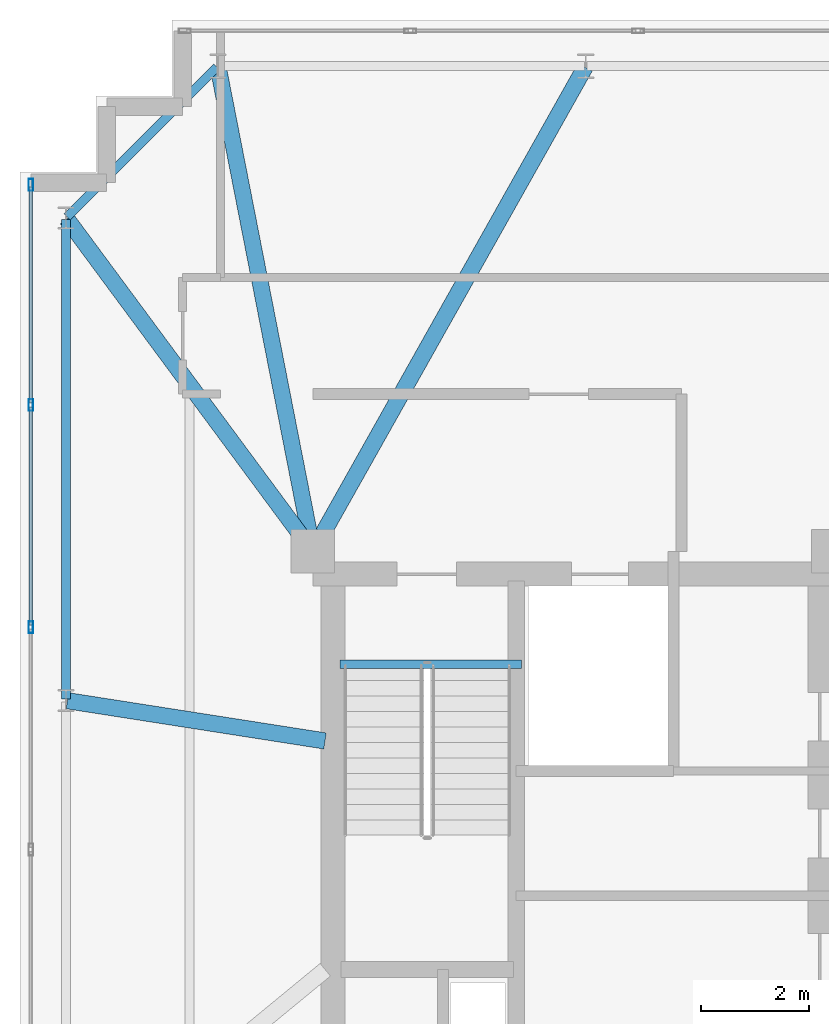
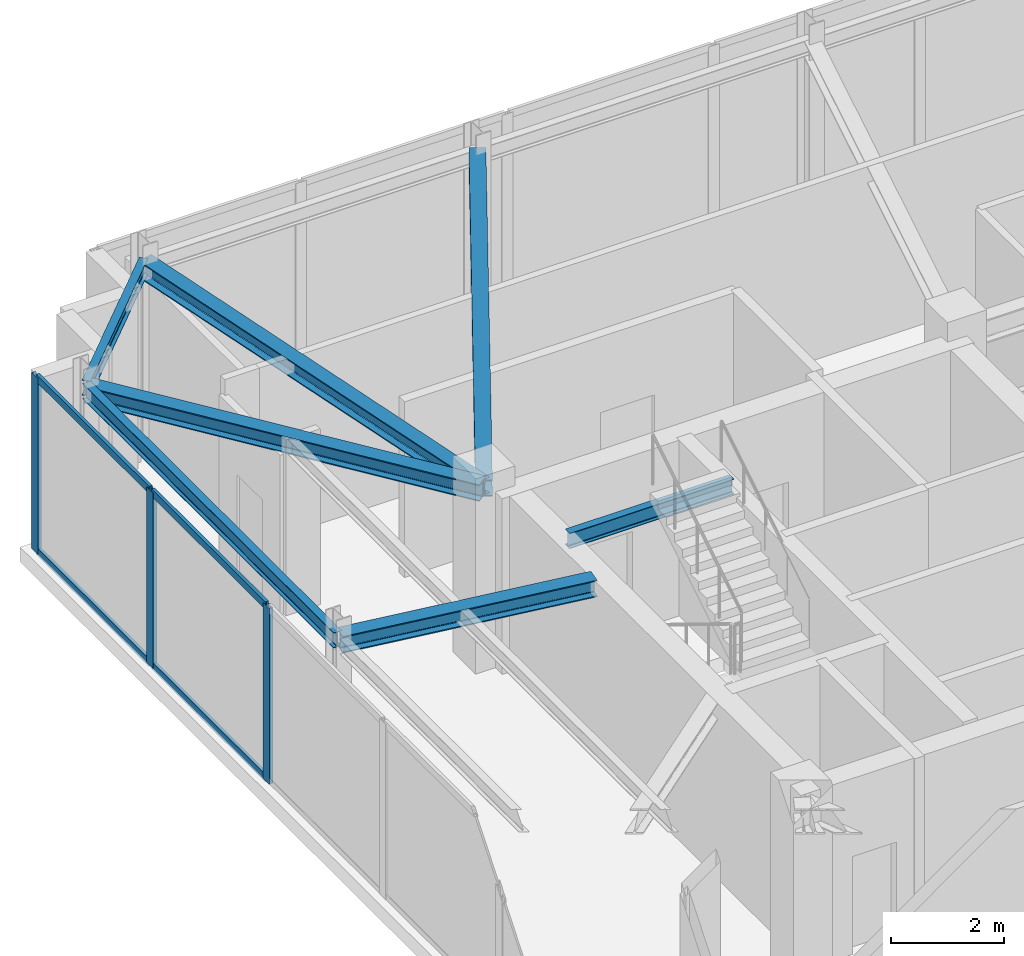
# One storey, part 10 of 24: 7 beams, 7 members, 1 element without a shape of its own.
"""IFC4 building model written with IfcOpenShell, lengths in metres."""

import ifcopenshell
import ifcopenshell.guid

model = None  # the IFC model being written
_history = None  # IfcOwnerHistory: only IFC2X3 demands one
_inside = {}  # id of a spatial element -> (the spatial element, [elements in it])
_under = {}  # id of a project, library or spatial element -> (it, [spatial elements below it])
_declared = {}  # id of a project -> (the project, [libraries it declares])
_typed = {}  # id of a type object -> (the type object, [elements of that type])
_made_of = {}  # id of a material, layer set ... -> (it, [elements and type objects made of it])


def new_model(schema):
    """Start an empty IFC model of exactly this schema.

    Asked for "IFC4X3", IfcOpenShell would pick the latest addendum, in which some entities
    have other attributes; the version numbers below select the first issue.
    IFC2X3 requires an IfcOwnerHistory on every rooted entity: one is made here for all.
    """
    global model, _history
    if schema == "IFC4X3":
        model = ifcopenshell.file(schema_version=(4, 3, 0, 0))
    else:
        model = ifcopenshell.file(schema=schema)
    _inside.clear()
    _under.clear()
    _declared.clear()
    _typed.clear()
    _made_of.clear()
    _history = None
    if model.schema == "IFC2X3":
        org = make("IfcOrganization", Name="unknown")
        user = make(
            "IfcPersonAndOrganization",
            ThePerson=make("IfcPerson", FamilyName="unknown"),
            TheOrganization=org,
        )
        app = make(
            "IfcApplication",
            ApplicationDeveloper=org,
            Version="unknown",
            ApplicationFullName="unknown",
            ApplicationIdentifier="unknown",
        )
        _history = make(
            "IfcOwnerHistory",
            OwningUser=user,
            OwningApplication=app,
            ChangeAction="ADDED",
            CreationDate=0,
        )
    return model


def make(cls, **values):
    """One entity of the class cls with the attributes given. An attribute that is None is left unset."""
    return model.create_entity(
        cls, **{name: value for name, value in values.items() if value is not None}
    )


def rooted(cls, **values):
    """An entity with a GlobalId (a new one), such as an element, a storey or a relation."""
    return make(cls, GlobalId=ifcopenshell.guid.new(), OwnerHistory=_history, **values)


def si_unit(unit_type, name, prefix=None):
    """IfcSIUnit, for example si_unit("LENGTHUNIT", "METRE", prefix="MILLI")."""
    return make("IfcSIUnit", UnitType=unit_type, Prefix=prefix, Name=name)


def assignment(units):
    """IfcUnitAssignment: the units of a project."""
    return None if units is None else make("IfcUnitAssignment", Units=units)


def point(xyz):
    """IfcCartesianPoint."""
    return None if xyz is None else make("IfcCartesianPoint", Coordinates=xyz)


def direction(xyz):
    """IfcDirection."""
    return None if xyz is None else make("IfcDirection", DirectionRatios=xyz)


def frame(location, z_axis=None, x_axis=None):
    """IfcAxis2Placement3D, a coordinate frame: its origin and axes. An axis left out is left unset."""
    return make(
        "IfcAxis2Placement3D",
        Location=point(location),
        Axis=direction(z_axis),
        RefDirection=direction(x_axis),
    )


def frame_2d(location, x_axis=None):
    """IfcAxis2Placement2D, a coordinate frame in the plane: its origin and x axis."""
    return make(
        "IfcAxis2Placement2D", Location=point(location), RefDirection=direction(x_axis)
    )


def origin():
    """The frame at (0, 0, 0) with its axes left unset."""
    return frame((0.0, 0.0, 0.0))


def origin_2d():
    """The frame at (0, 0) in the plane with its x axis left unset."""
    return frame_2d((0.0, 0.0))


def place(relative_to, where):
    """IfcLocalPlacement: puts the frame where relative to a parent placement (None: the world)."""
    return make(
        "IfcLocalPlacement", PlacementRelTo=relative_to, RelativePlacement=where
    )


def context(
    kind, dimensions, precision=None, world=None, true_north=None, identifier=None
):
    """IfcGeometricRepresentationContext, for example the 3D "Model" context."""
    return make(
        "IfcGeometricRepresentationContext",
        ContextIdentifier=identifier,
        ContextType=kind,
        CoordinateSpaceDimension=dimensions,
        Precision=precision,
        WorldCoordinateSystem=world,
        TrueNorth=true_north,
    )


def subcontext(parent, identifier, kind, view, scale=None):
    """IfcGeometricRepresentationSubContext, for example "Body" below "Model"."""
    return make(
        "IfcGeometricRepresentationSubContext",
        ContextIdentifier=identifier,
        ContextType=kind,
        ParentContext=parent,
        TargetScale=scale,
        TargetView=view,
    )


def project(units=None, contexts=None):
    """IfcProject with its units and contexts."""
    return rooted(
        "IfcProject",
        Name="project",
        RepresentationContexts=contexts,
        UnitsInContext=assignment(units),
    )


def spatial(cls, under=None, at=None, **own):
    """A site, building, storey or space (cls), placed at a placement, below another one or the project."""
    s = rooted(cls, ObjectPlacement=at, **own)
    if under is not None:
        _under.setdefault(under.id(), (under, []))[1].append(s)
    return s


def profile(cls, at=None, kind="AREA", **sizes):
    """A parametric profile (cls). Its sizes go by their IFC names, for example OverallWidth=200.0."""
    return make(cls, ProfileType=kind, Position=at, **sizes)


def hollow_rectangle(**sizes):
    """IfcRectangleHollowProfileDef."""
    return profile("IfcRectangleHollowProfileDef", **sizes)


def i_section(**sizes):
    """IfcIShapeProfileDef."""
    return profile("IfcIShapeProfileDef", **sizes)


def extrude(swept, where, along, depth):
    """IfcExtrudedAreaSolid: the profile swept, set in the frame where, extruded along a direction by depth."""
    return make(
        "IfcExtrudedAreaSolid",
        SweptArea=swept,
        Position=where,
        ExtrudedDirection=direction(along),
        Depth=depth,
    )


def shape(context_of_items, identifier, shape_type, items):
    """IfcShapeRepresentation: the items that make up one representation, for example the "Body"."""
    return make(
        "IfcShapeRepresentation",
        ContextOfItems=context_of_items,
        RepresentationIdentifier=identifier,
        RepresentationType=shape_type,
        Items=items,
    )


def material(Name=None, Category=None):
    """IfcMaterial."""
    return make("IfcMaterial", Name=Name, Category=Category)


def layer(
    of_material, thickness, ventilated=None, Name=None, Category=None, Priority=None
):
    """IfcMaterialLayer: one layer of a wall or slab, of a material (None: an air gap)."""
    return make(
        "IfcMaterialLayer",
        Material=of_material,
        LayerThickness=thickness,
        IsVentilated=ventilated,
        Name=Name,
        Category=Category,
        Priority=Priority,
    )


def layer_set(layers, Name=None):
    """IfcMaterialLayerSet."""
    return make("IfcMaterialLayerSet", MaterialLayers=layers, LayerSetName=Name)


def material_profile(
    of_material, cross_section, Name=None, Category=None, Priority=None
):
    """IfcMaterialProfile: a cross section and its material."""
    return make(
        "IfcMaterialProfile",
        Name=Name,
        Material=of_material,
        Profile=cross_section,
        Priority=Priority,
        Category=Category,
    )


def profile_set(profiles, Name=None, composite=None):
    """IfcMaterialProfileSet."""
    return make(
        "IfcMaterialProfileSet",
        Name=Name,
        MaterialProfiles=profiles,
        CompositeProfile=composite,
    )


def made_of(thing, what):
    """Note that an element or type object is made of a material, layer set ...; save() writes the relation."""
    if what is not None:
        _made_of.setdefault(what.id(), (what, []))[1].append(thing)
    return thing


def type_object(cls, material=None, **own):
    """A type object (cls), such as IfcWallType, which elements share."""
    return made_of(rooted(cls, **own), material)


def element(
    cls,
    number,
    at=None,
    inside=None,
    cuts=None,
    type_object=None,
    material=None,
    context=None,
    identifier="Body",
    shape_type=None,
    held_by="IfcProductDefinitionShape",
    body=None,
    shapes=None,
    **own,
):
    """One element of the class cls, such as IfcWall. Its Tag is "e" and its number.

    at: its placement. inside: the storey or other place that contains it. cuts: it is an
    opening in that element (IfcRelVoidsElement). A single representation is given by context,
    identifier, shape_type and body (its items); several are given by shapes. held_by: the class
    of the entity that holds the representations. save() writes the other relations.
    """
    e = rooted(cls, Tag="e%d" % number, ObjectPlacement=at, **own)
    if body is not None:
        shapes = [shape(context, identifier, shape_type, body)]
    if shapes is not None:
        e.Representation = make(held_by, Representations=shapes)
    if inside is not None:
        _inside.setdefault(inside.id(), (inside, []))[1].append(e)
    if cuts is not None:
        rooted(
            "IfcRelVoidsElement", RelatingBuildingElement=cuts, RelatedOpeningElement=e
        )
    if type_object is not None:
        _typed.setdefault(type_object.id(), (type_object, []))[1].append(e)
    return made_of(e, material)


def aggregate(whole, parts):
    """IfcRelAggregates: a whole, such as a stair, and the parts it consists of."""
    return rooted("IfcRelAggregates", RelatingObject=whole, RelatedObjects=parts)


def save(model, path):
    """Write the relations noted so far, then the file.

    IfcRelAggregates (storeys below a building ...), IfcRelContainedInSpatialStructure (elements
    in a storey), IfcRelDefinesByType, IfcRelAssociatesMaterial and IfcRelDeclares: one each for
    every whole, place, type object, material and project.
    """
    for whole, parts in _under.values():
        aggregate(whole, parts)
    for where, things in _inside.values():
        rooted(
            "IfcRelContainedInSpatialStructure",
            RelatedElements=things,
            RelatingStructure=where,
        )
    for kind, things in _typed.values():
        rooted("IfcRelDefinesByType", RelatedObjects=things, RelatingType=kind)
    for what, things in _made_of.values():
        rooted("IfcRelAssociatesMaterial", RelatedObjects=things, RelatingMaterial=what)
    for by, libraries in _declared.values():
        rooted("IfcRelDeclares", RelatingContext=by, RelatedDefinitions=libraries)
    model.write(path)


model = new_model("IFC4")

# Units and contexts
model_context = context("Model", 3, precision=1e-05, world=origin(), true_north=direction((0.0, 1.0)))
body_context = subcontext(model_context, "Body", "Model", "MODEL_VIEW")
ifc_project = project(units=[si_unit("LENGTHUNIT", "METRE"), si_unit("AREAUNIT", "SQUARE_METRE"), si_unit("VOLUMEUNIT", "CUBIC_METRE"), si_unit("PLANEANGLEUNIT", "RADIAN"), si_unit("MASSUNIT", "GRAM", prefix="KILO")], contexts=[model_context])

# Site, building, storey
site_placement = place(None, origin())
site = spatial("IfcSite", under=ifc_project, at=site_placement, CompositionType="ELEMENT")
building_placement = place(site_placement, origin())
building = spatial("IfcBuilding", under=site, at=building_placement, Name="Qobustan Lattice House", CompositionType="ELEMENT")
storey_placement = place(building_placement, frame((0.0, 0.0, 261.800048828125)))
storey = spatial("IfcBuildingStorey", under=building, at=storey_placement, Name="L74", CompositionType="ELEMENT", Elevation=261.800048828125)

# Beams
ifc_material_1 = material(Name="Steel S355", Category="steel")
ifc_material_profile_1 = material_profile(ifc_material_1, i_section(OverallWidth=0.300048828125, OverallDepth=0.360107421875, WebThickness=0.012451171875, FlangeThickness=0.0224609375, FilletRadius=0.027099609375, at=origin_2d()), Name="HEB360")
ifc_profile_set_1 = profile_set([ifc_material_profile_1], Name="Steel S355")
beam_type_1 = type_object("IfcBeamType", Name="BM-FLG-HEB360", PredefinedType="USERDEFINED", material=ifc_profile_set_1)
beam_1_placement = place(storey_placement, frame((-20.545166015625, 14.525390625, 3.599853515625), z_axis=(0.191905644581, -0.981413380578, 0.0), x_axis=(0.981413380578, 0.191905644581, 0.0)))
element("IfcBeam", 1, at=beam_1_placement, inside=storey, type_object=beam_type_1, Name="L74 primary floor girder RAD-N7W", ObjectType="GIRDER", PredefinedType="USERDEFINED", context=body_context, shape_type="SweptSolid", body=[
    extrude(i_section(OverallWidth=0.300048828125, OverallDepth=0.360107421875, WebThickness=0.012451171875, FlangeThickness=0.0224609375, FilletRadius=0.027099609375, at=origin_2d()), origin(), (0.0, 0.0, 1.0), 9.0693359375),
])
beam_2_placement = place(storey_placement, frame((-13.779052734375, 14.5283203125, 3.599853515625), z_axis=(-0.490160276962, -0.871632320929, 0.0), x_axis=(0.871632320929, -0.490160276962, 0.0)))
element("IfcBeam", 2, at=beam_2_placement, inside=storey, type_object=beam_type_1, Name="L74 primary floor girder RAD-N6", ObjectType="GIRDER", PredefinedType="USERDEFINED", context=body_context, shape_type="SweptSolid", body=[
    extrude(i_section(OverallWidth=0.300048828125, OverallDepth=0.360107421875, WebThickness=0.012451171875, FlangeThickness=0.0224609375, FilletRadius=0.027099609375, at=origin_2d()), origin(), (0.0, 0.0, 1.0), 10.21826171875),
])
beam_3_placement = place(storey_placement, frame((-23.335205078125, 11.72998046875, 3.599853515625), z_axis=(0.594754993974, -0.80390702021, 0.0), x_axis=(0.80390702021, 0.594754993974, 0.0)))
element("IfcBeam", 3, at=beam_3_placement, inside=storey, type_object=beam_type_1, Name="L74 primary floor girder RAD-W1", ObjectType="GIRDER", PredefinedType="USERDEFINED", context=body_context, shape_type="SweptSolid", body=[
    extrude(i_section(OverallWidth=0.300048828125, OverallDepth=0.360107421875, WebThickness=0.012451171875, FlangeThickness=0.0224609375, FilletRadius=0.027099609375, at=origin_2d()), origin(), (0.0, 0.0, 1.0), 7.60009765625),
])
beam_4_placement = place(storey_placement, frame((-23.3251953125, 2.84619140625, 3.599853515625), z_axis=(0.988014453876, -0.154361390677, 0.0), x_axis=(0.154361390677, 0.988014453876, 0.0)))
element("IfcBeam", 4, at=beam_4_placement, inside=storey, type_object=beam_type_1, Name="L74 primary floor girder RAD-W2", ObjectType="GIRDER", PredefinedType="USERDEFINED", context=body_context, shape_type="SweptSolid", body=[
    extrude(i_section(OverallWidth=0.300048828125, OverallDepth=0.360107421875, WebThickness=0.012451171875, FlangeThickness=0.0224609375, FilletRadius=0.027099609375, at=origin_2d()), origin(), (0.0, 0.0, 1.0), 4.80810546875),
])
ifc_material_2 = material(Name="Steel S355", Category="steel")
ifc_material_profile_2 = material_profile(ifc_material_2, i_section(OverallWidth=0.159912109375, OverallDepth=0.330078125, WebThickness=0.007568359375, FlangeThickness=0.011474609375, FilletRadius=0.01806640625, at=origin_2d()), Name="IPE330")
ifc_profile_set_2 = profile_set([ifc_material_profile_2], Name="Steel S355")
beam_type_2 = type_object("IfcBeamType", Name="BM-SPD-IPE330", PredefinedType="SPANDREL", material=ifc_profile_set_2)
beam_5_placement = place(storey_placement, frame((-18.300048828125, 3.52001953125, 3.614990234375), z_axis=(1.0, 0.0, 0.0), x_axis=(0.0, 1.0, 0.0)))
element("IfcBeam", 5, at=beam_5_placement, inside=storey, type_object=beam_type_2, Name="L74 west stair landing trimmer beam", PredefinedType="SPANDREL", context=body_context, shape_type="SweptSolid", body=[
    extrude(i_section(OverallWidth=0.159912109375, OverallDepth=0.330078125, WebThickness=0.007568359375, FlangeThickness=0.011474609375, FilletRadius=0.01806640625, at=origin_2d()), origin(), (0.0, 0.0, 1.0), 3.35009765625),
])
beam_6_placement = place(storey_placement, frame((-20.567626953125, 14.5322265625, 3.614990234375), z_axis=(-0.707106781187, -0.707106781187, 0.0), x_axis=(0.707106781187, -0.707106781187, 0.0)))
element("IfcBeam", 6, at=beam_6_placement, inside=storey, type_object=beam_type_2, Name="L74 perimeter spandrel N7-W1", PredefinedType="SPANDREL", context=body_context, shape_type="SweptSolid", body=[
    extrude(i_section(OverallWidth=0.159912109375, OverallDepth=0.330078125, WebThickness=0.007568359375, FlangeThickness=0.011474609375, FilletRadius=0.01806640625, at=origin_2d()), origin(), (0.0, 0.0, 1.0), 3.909912109375),
])
beam_7_placement = place(storey_placement, frame((-23.35009765625, 11.72509765625, 3.614990234375), z_axis=(0.0, -1.0, 0.0), x_axis=(1.0, 0.0, 0.0)))
element("IfcBeam", 7, at=beam_7_placement, inside=storey, type_object=beam_type_2, Name="L74 perimeter spandrel W1-W2", PredefinedType="SPANDREL", context=body_context, shape_type="SweptSolid", body=[
    extrude(i_section(OverallWidth=0.159912109375, OverallDepth=0.330078125, WebThickness=0.007568359375, FlangeThickness=0.011474609375, FilletRadius=0.01806640625, at=origin_2d()), origin(), (0.0, 0.0, 1.0), 8.85009765625),
])

# Curtain wall, members
ifc_material_3 = material(Name="Anodised aluminium and low-E glazing", Category="aluminium")
ifc_layer = layer(ifc_material_3, 0.219970703125)
ifc_layer_set = layer_set([ifc_layer], Name="Anodised aluminium and low-E glazing")
curtain_wall_type = type_object("IfcCurtainWallType", Name="CW-OBS-01", PredefinedType="USERDEFINED", material=ifc_layer_set)
curtain_wall_placement = place(storey_placement, origin())
curtain_wall = element("IfcCurtainWall", 8, at=curtain_wall_placement, inside=storey, type_object=curtain_wall_type, Name="L74 W panoramic observation curtain wall", ObjectType="CURTAIN WALL", PredefinedType="USERDEFINED")
ifc_material_4 = material(Name="Anodised aluminium EN AW-6063 T6", Category="aluminium")
ifc_material_profile_3 = material_profile(ifc_material_4, hollow_rectangle(XDim=0.080078125, YDim=0.219970703125, WallThickness=0.0048828125, at=origin_2d()), Name="CWM-220x80")
ifc_profile_set_3 = profile_set([ifc_material_profile_3], Name="Anodised aluminium EN AW-6063 T6")
member_type_1 = type_object("IfcMemberType", Name="CWM-MAIN-220", PredefinedType="MULLION", material=ifc_profile_set_3)
member_1_placement = place(storey_placement, frame((-24.0, 4.199951171875, 0.0), z_axis=(0.0, 0.0, 1.0), x_axis=(-1.0, 0.0, 0.0)))
member_1 = element("IfcMember", 9, at=member_1_placement, type_object=member_type_1, Name="CW-OB mullion 5", PredefinedType="MULLION", context=body_context, shape_type="SweptSolid", body=[
    extrude(hollow_rectangle(XDim=0.080078125, YDim=0.219970703125, WallThickness=0.0048828125, at=origin_2d()), origin(), (0.0, 0.0, 1.0), 3.780029296875),
])
member_2_placement = place(storey_placement, frame((-24.0, 8.300048828125, 0.0), z_axis=(0.0, 0.0, 1.0), x_axis=(-1.0, 0.0, 0.0)))
member_2 = element("IfcMember", 10, at=member_2_placement, type_object=member_type_1, Name="CW-OB mullion 6", PredefinedType="MULLION", context=body_context, shape_type="SweptSolid", body=[
    extrude(hollow_rectangle(XDim=0.080078125, YDim=0.219970703125, WallThickness=0.0048828125, at=origin_2d()), origin(), (0.0, 0.0, 1.0), 3.780029296875),
])
member_3_placement = place(storey_placement, frame((-24.0, 12.360107421875, 0.0), z_axis=(0.0, 0.0, 1.0), x_axis=(-1.0, 0.0, 0.0)))
member_3 = element("IfcMember", 11, at=member_3_placement, type_object=member_type_1, Name="CW-OB mullion 7", PredefinedType="MULLION", context=body_context, shape_type="SweptSolid", body=[
    extrude(hollow_rectangle(XDim=0.080078125, YDim=0.219970703125, WallThickness=0.0048828125, at=origin_2d()), origin(), (0.0, 0.0, 1.0), 3.780029296875),
])
ifc_material_5 = material(Name="Anodised aluminium EN AW-6063 T6", Category="aluminium")
ifc_material_profile_4 = material_profile(ifc_material_5, hollow_rectangle(XDim=0.06494140625, YDim=0.159912109375, WallThickness=0.00390625, at=origin_2d()), Name="CWT-160x65")
ifc_profile_set_4 = profile_set([ifc_material_profile_4], Name="Anodised aluminium EN AW-6063 T6")
member_type_2 = type_object("IfcMemberType", Name="CWT-HOR-160", PredefinedType="USERDEFINED", material=ifc_profile_set_4)
member_4_placement = place(storey_placement, frame((-24.0, 4.239990234375, 0.032470703125), z_axis=(0.0, 1.0, 0.0), x_axis=(-1.0, 0.0, 0.0)))
member_4 = element("IfcMember", 12, at=member_4_placement, type_object=member_type_2, Name="CW-OB transom 5.1", ObjectType="TRANSOM", PredefinedType="USERDEFINED", context=body_context, shape_type="SweptSolid", body=[
    extrude(hollow_rectangle(XDim=0.06494140625, YDim=0.159912109375, WallThickness=0.00390625, at=origin_2d()), origin(), (0.0, 0.0, 1.0), 4.02001953125),
])
member_5_placement = place(storey_placement, frame((-24.0, 4.239990234375, 3.74755859375), z_axis=(0.0, 1.0, 0.0), x_axis=(-1.0, 0.0, 0.0)))
member_5 = element("IfcMember", 13, at=member_5_placement, type_object=member_type_2, Name="CW-OB transom 5.2", ObjectType="TRANSOM", PredefinedType="USERDEFINED", context=body_context, shape_type="SweptSolid", body=[
    extrude(hollow_rectangle(XDim=0.06494140625, YDim=0.159912109375, WallThickness=0.00390625, at=origin_2d()), origin(), (0.0, 0.0, 1.0), 4.02001953125),
])
member_6_placement = place(storey_placement, frame((-24.0, 8.340087890625, 0.032470703125), z_axis=(0.0, 1.0, 0.0), x_axis=(-1.0, 0.0, 0.0)))
member_6 = element("IfcMember", 14, at=member_6_placement, type_object=member_type_2, Name="CW-OB transom 6.1", ObjectType="TRANSOM", PredefinedType="USERDEFINED", context=body_context, shape_type="SweptSolid", body=[
    extrude(hollow_rectangle(XDim=0.06494140625, YDim=0.159912109375, WallThickness=0.00390625, at=origin_2d()), origin(), (0.0, 0.0, 1.0), 3.97998046875),
])
member_7_placement = place(storey_placement, frame((-24.0, 8.340087890625, 3.74755859375), z_axis=(0.0, 1.0, 0.0), x_axis=(-1.0, 0.0, 0.0)))
member_7 = element("IfcMember", 15, at=member_7_placement, type_object=member_type_2, Name="CW-OB transom 6.2", ObjectType="TRANSOM", PredefinedType="USERDEFINED", context=body_context, shape_type="SweptSolid", body=[
    extrude(hollow_rectangle(XDim=0.06494140625, YDim=0.159912109375, WallThickness=0.00390625, at=origin_2d()), origin(), (0.0, 0.0, 1.0), 3.97998046875),
])
aggregate(curtain_wall, [member_1, member_2, member_3, member_4, member_5, member_6, member_7])

save(model, "model.ifc")
